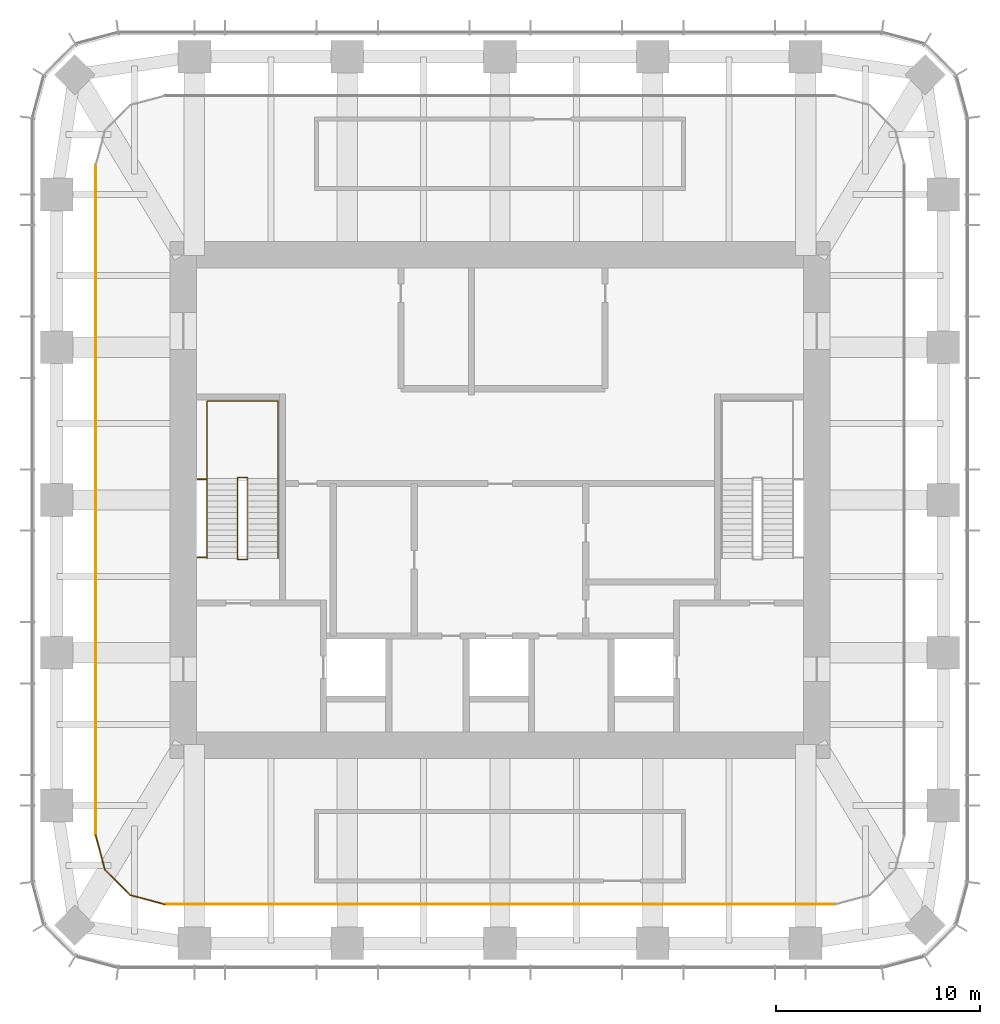
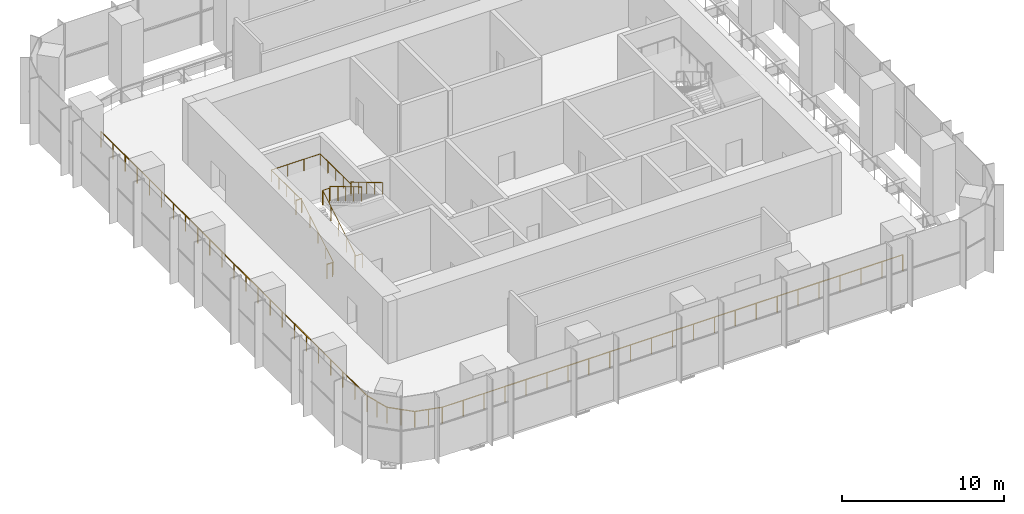
# One storey, part 8 of 10: 7 railings.
"""IFC4 building model written with IfcOpenShell, lengths in metres."""

from ifc_helpers import new_model, si_unit, direction, frame, origin, origin_2d, place, context, subcontext, project, spatial, circle, extrude, material, type_object, element, save


model = new_model("IFC4")

# Units and contexts
model_context = context("Model", 3, precision=1e-05, world=origin(), true_north=direction((0.0, 1.0)))
body_context = subcontext(model_context, "Body", "Model", "MODEL_VIEW")
ifc_project = project(units=[si_unit("LENGTHUNIT", "METRE"), si_unit("AREAUNIT", "SQUARE_METRE"), si_unit("VOLUMEUNIT", "CUBIC_METRE"), si_unit("PLANEANGLEUNIT", "RADIAN"), si_unit("MASSUNIT", "GRAM", prefix="KILO")], contexts=[model_context])

# Site, building, storey
site_placement = place(None, origin())
site = spatial("IfcSite", under=ifc_project, at=site_placement, CompositionType="ELEMENT")
building_placement = place(site_placement, origin())
building = spatial("IfcBuilding", under=site, at=building_placement, Name="Khuree Lantern Residences", CompositionType="ELEMENT")
storey_placement = place(building_placement, frame((0.0, 0.0, 358.25)))
storey = spatial("IfcBuildingStorey", under=building, at=storey_placement, Name="L90", CompositionType="ELEMENT", Elevation=358.25)

# Railings
ifc_material_1 = material(Name="Bronze anodised aluminium balustrade with infill bars", Category="aluminium")
railing_type_1 = type_object("IfcRailingType", Name="GALLERY GUARD G2 1200", PredefinedType="GUARDRAIL", material=ifc_material_1)
railing_1_placement = place(storey_placement, frame((-19.800048828125, 16.39990234375, 0.0)))
element("IfcRailing", 1, at=railing_1_placement, inside=storey, type_object=railing_type_1, Name="L90 WEST FACE GALLERY GUARD", PredefinedType="GUARDRAIL", context=body_context, shape_type="SweptSolid", body=[
    extrude(circle(Radius=0.02392578125, at=origin_2d()), frame((0.0, 0.0, 1.17626953125), z_axis=(0.0, -1.0, 0.0), x_axis=(1.0, 0.0, 0.0)), (0.0, 0.0, 1.0), 32.7998046875),
    extrude(circle(Radius=0.02099609375, at=origin_2d()), origin(), (0.0, 0.0, 1.0), 1.152099609375),
    extrude(circle(Radius=0.02099609375, at=origin_2d()), frame((0.0, -1.490966796875, 0.0)), (0.0, 0.0, 1.0), 1.152099609375),
    extrude(circle(Radius=0.02099609375, at=origin_2d()), frame((0.0, -2.981689453125, 0.0)), (0.0, 0.0, 1.0), 1.152099609375),
    extrude(circle(Radius=0.02099609375, at=origin_2d()), frame((0.0, -4.47265625, 0.0)), (0.0, 0.0, 1.0), 1.152099609375),
    extrude(circle(Radius=0.02099609375, at=origin_2d()), frame((0.0, -5.963623046875, 0.0)), (0.0, 0.0, 1.0), 1.152099609375),
    extrude(circle(Radius=0.02099609375, at=origin_2d()), frame((0.0, -7.45458984375, 0.0)), (0.0, 0.0, 1.0), 1.152099609375),
    extrude(circle(Radius=0.02099609375, at=origin_2d()), frame((0.0, -8.9453125, 0.0)), (0.0, 0.0, 1.0), 1.152099609375),
    extrude(circle(Radius=0.02099609375, at=origin_2d()), frame((0.0, -10.436279296875, 0.0)), (0.0, 0.0, 1.0), 1.152099609375),
    extrude(circle(Radius=0.02099609375, at=origin_2d()), frame((0.0, -11.92724609375, 0.0)), (0.0, 0.0, 1.0), 1.152099609375),
    extrude(circle(Radius=0.02099609375, at=origin_2d()), frame((0.0, -13.418212890625, 0.0)), (0.0, 0.0, 1.0), 1.152099609375),
    extrude(circle(Radius=0.02099609375, at=origin_2d()), frame((0.0, -14.908935546875, 0.0)), (0.0, 0.0, 1.0), 1.152099609375),
    extrude(circle(Radius=0.02099609375, at=origin_2d()), frame((0.0, -16.39990234375, 0.0)), (0.0, 0.0, 1.0), 1.152099609375),
    extrude(circle(Radius=0.02099609375, at=origin_2d()), frame((0.0, -17.890869140625, 0.0)), (0.0, 0.0, 1.0), 1.152099609375),
    extrude(circle(Radius=0.02099609375, at=origin_2d()), frame((0.0, -19.381591796875, 0.0)), (0.0, 0.0, 1.0), 1.152099609375),
    extrude(circle(Radius=0.02099609375, at=origin_2d()), frame((0.0, -20.87255859375, 0.0)), (0.0, 0.0, 1.0), 1.152099609375),
    extrude(circle(Radius=0.02099609375, at=origin_2d()), frame((0.0, -22.363525390625, 0.0)), (0.0, 0.0, 1.0), 1.152099609375),
    extrude(circle(Radius=0.02099609375, at=origin_2d()), frame((0.0, -23.8544921875, 0.0)), (0.0, 0.0, 1.0), 1.152099609375),
    extrude(circle(Radius=0.02099609375, at=origin_2d()), frame((0.0, -25.34521484375, 0.0)), (0.0, 0.0, 1.0), 1.152099609375),
    extrude(circle(Radius=0.02099609375, at=origin_2d()), frame((0.0, -26.836181640625, 0.0)), (0.0, 0.0, 1.0), 1.152099609375),
    extrude(circle(Radius=0.02099609375, at=origin_2d()), frame((0.0, -28.3271484375, 0.0)), (0.0, 0.0, 1.0), 1.152099609375),
    extrude(circle(Radius=0.02099609375, at=origin_2d()), frame((0.0, -29.818115234375, 0.0)), (0.0, 0.0, 1.0), 1.152099609375),
    extrude(circle(Radius=0.02099609375, at=origin_2d()), frame((0.0, -31.308837890625, 0.0)), (0.0, 0.0, 1.0), 1.152099609375),
    extrude(circle(Radius=0.02099609375, at=origin_2d()), frame((0.0, -32.7998046875, 0.0)), (0.0, 0.0, 1.0), 1.152099609375),
])
railing_2_placement = place(storey_placement, frame((-19.800048828125, -16.39990234375, 0.0)))
element("IfcRailing", 2, at=railing_2_placement, inside=storey, type_object=railing_type_1, Name="L90 SOUTH-WEST CORNER GALLERY GUARD", PredefinedType="GUARDRAIL", context=body_context, shape_type="SweptSolid", body=[
    extrude(circle(Radius=0.02392578125, at=origin_2d()), frame((0.0, 0.0, 1.17626953125), z_axis=(0.258819281137, -0.965925763044, 0.0), x_axis=(0.965925763044, 0.258819281137, 0.0)), (0.0, 0.0, 1.0), 1.76025390625),
    extrude(circle(Radius=0.02392578125, at=origin_2d()), frame((0.45556640625, -1.7001953125, 1.17626953125), z_axis=(0.707106781187, -0.707106781187, 0.0), x_axis=(0.707106781187, 0.707106781187, 0.0)), (0.0, 0.0, 1.0), 1.759765625),
    extrude(circle(Radius=0.02392578125, at=origin_2d()), frame((1.699951171875, -2.944580078125, 1.17626953125), z_axis=(0.965925763044, -0.258819281137, 0.0), x_axis=(0.258819281137, 0.965925763044, 0.0)), (0.0, 0.0, 1.0), 1.76025390625),
    extrude(circle(Radius=0.02099609375, at=origin_2d()), origin(), (0.0, 0.0, 1.0), 1.152099609375),
    extrude(circle(Radius=0.02099609375, at=origin_2d()), frame((0.227783203125, -0.85009765625, 0.0)), (0.0, 0.0, 1.0), 1.152099609375),
    extrude(circle(Radius=0.02099609375, at=origin_2d()), frame((0.45556640625, -1.7001953125, 0.0)), (0.0, 0.0, 1.0), 1.152099609375),
    extrude(circle(Radius=0.02099609375, at=origin_2d()), frame((1.07763671875, -2.322265625, 0.0)), (0.0, 0.0, 1.0), 1.152099609375),
    extrude(circle(Radius=0.02099609375, at=origin_2d()), frame((1.699951171875, -2.944580078125, 0.0)), (0.0, 0.0, 1.0), 1.152099609375),
    extrude(circle(Radius=0.02099609375, at=origin_2d()), frame((2.550048828125, -3.17236328125, 0.0)), (0.0, 0.0, 1.0), 1.152099609375),
    extrude(circle(Radius=0.02099609375, at=origin_2d()), frame((3.400146484375, -3.400146484375, 0.0)), (0.0, 0.0, 1.0), 1.152099609375),
])
railing_3_placement = place(storey_placement, frame((-16.39990234375, -19.800048828125, 0.0)))
element("IfcRailing", 3, at=railing_3_placement, inside=storey, type_object=railing_type_1, Name="L90 SOUTH FACE GALLERY GUARD", PredefinedType="GUARDRAIL", context=body_context, shape_type="SweptSolid", body=[
    extrude(circle(Radius=0.02392578125, at=origin_2d()), frame((0.0, 0.0, 1.17626953125), z_axis=(1.0, 0.0, 0.0), x_axis=(0.0, 1.0, 0.0)), (0.0, 0.0, 1.0), 32.7998046875),
    extrude(circle(Radius=0.02099609375, at=origin_2d()), origin(), (0.0, 0.0, 1.0), 1.152099609375),
    extrude(circle(Radius=0.02099609375, at=origin_2d()), frame((1.490966796875, 0.0, 0.0)), (0.0, 0.0, 1.0), 1.152099609375),
    extrude(circle(Radius=0.02099609375, at=origin_2d()), frame((2.981689453125, 0.0, 0.0)), (0.0, 0.0, 1.0), 1.152099609375),
    extrude(circle(Radius=0.02099609375, at=origin_2d()), frame((4.47265625, 0.0, 0.0)), (0.0, 0.0, 1.0), 1.152099609375),
    extrude(circle(Radius=0.02099609375, at=origin_2d()), frame((5.963623046875, 0.0, 0.0)), (0.0, 0.0, 1.0), 1.152099609375),
    extrude(circle(Radius=0.02099609375, at=origin_2d()), frame((7.45458984375, 0.0, 0.0)), (0.0, 0.0, 1.0), 1.152099609375),
    extrude(circle(Radius=0.02099609375, at=origin_2d()), frame((8.9453125, 0.0, 0.0)), (0.0, 0.0, 1.0), 1.152099609375),
    extrude(circle(Radius=0.02099609375, at=origin_2d()), frame((10.436279296875, 0.0, 0.0)), (0.0, 0.0, 1.0), 1.152099609375),
    extrude(circle(Radius=0.02099609375, at=origin_2d()), frame((11.92724609375, 0.0, 0.0)), (0.0, 0.0, 1.0), 1.152099609375),
    extrude(circle(Radius=0.02099609375, at=origin_2d()), frame((13.418212890625, 0.0, 0.0)), (0.0, 0.0, 1.0), 1.152099609375),
    extrude(circle(Radius=0.02099609375, at=origin_2d()), frame((14.908935546875, 0.0, 0.0)), (0.0, 0.0, 1.0), 1.152099609375),
    extrude(circle(Radius=0.02099609375, at=origin_2d()), frame((16.39990234375, 0.0, 0.0)), (0.0, 0.0, 1.0), 1.152099609375),
    extrude(circle(Radius=0.02099609375, at=origin_2d()), frame((17.890869140625, 0.0, 0.0)), (0.0, 0.0, 1.0), 1.152099609375),
    extrude(circle(Radius=0.02099609375, at=origin_2d()), frame((19.381591796875, 0.0, 0.0)), (0.0, 0.0, 1.0), 1.152099609375),
    extrude(circle(Radius=0.02099609375, at=origin_2d()), frame((20.87255859375, 0.0, 0.0)), (0.0, 0.0, 1.0), 1.152099609375),
    extrude(circle(Radius=0.02099609375, at=origin_2d()), frame((22.363525390625, 0.0, 0.0)), (0.0, 0.0, 1.0), 1.152099609375),
    extrude(circle(Radius=0.02099609375, at=origin_2d()), frame((23.8544921875, 0.0, 0.0)), (0.0, 0.0, 1.0), 1.152099609375),
    extrude(circle(Radius=0.02099609375, at=origin_2d()), frame((25.34521484375, 0.0, 0.0)), (0.0, 0.0, 1.0), 1.152099609375),
    extrude(circle(Radius=0.02099609375, at=origin_2d()), frame((26.836181640625, 0.0, 0.0)), (0.0, 0.0, 1.0), 1.152099609375),
    extrude(circle(Radius=0.02099609375, at=origin_2d()), frame((28.3271484375, 0.0, 0.0)), (0.0, 0.0, 1.0), 1.152099609375),
    extrude(circle(Radius=0.02099609375, at=origin_2d()), frame((29.818115234375, 0.0, 0.0)), (0.0, 0.0, 1.0), 1.152099609375),
    extrude(circle(Radius=0.02099609375, at=origin_2d()), frame((31.308837890625, 0.0, 0.0)), (0.0, 0.0, 1.0), 1.152099609375),
    extrude(circle(Radius=0.02099609375, at=origin_2d()), frame((32.7998046875, 0.0, 0.0)), (0.0, 0.0, 1.0), 1.152099609375),
])
ifc_material_2 = material(Name="Steel S355", Category="steel")
railing_type_2 = type_object("IfcRailingType", Name="STAIR GUARD G1 1100", PredefinedType="GUARDRAIL", material=ifc_material_2)
railing_4_placement = place(storey_placement, frame((-12.35009765625, -2.909912109375, 0.0)))
element("IfcRailing", 4, at=railing_4_placement, inside=storey, type_object=railing_type_2, Name="Stair ST1 guard", PredefinedType="GUARDRAIL", context=body_context, shape_type="SweptSolid", body=[
    extrude(circle(Radius=0.02392578125, at=origin_2d()), frame((0.0, 0.0, 1.076171875), z_axis=(-1.0, 0.0, 0.0), x_axis=(0.0, -1.0, 0.0)), (0.0, 0.0, 1.0), 0.5),
    extrude(circle(Radius=0.02392578125, at=origin_2d()), frame((-0.5, 0.0, 1.076171875), z_axis=(0.0, 0.286189326841, 0.958173089375), x_axis=(-1.0, 0.0, 0.0)), (0.0, 0.0, 1.0), 0.174072265625),
    extrude(circle(Radius=0.02392578125, at=origin_2d()), frame((-0.5, 0.0498046875, 1.24267578125), z_axis=(0.0, 0.859310244771, 0.511454693235), x_axis=(-1.0, 0.0, 0.0)), (0.0, 0.0, 1.0), 4.56201171875),
    extrude(circle(Radius=0.02392578125, at=origin_2d()), frame((-0.5, 3.969970703125, 3.576171875), z_axis=(0.0, 1.0, 0.0), x_axis=(-1.0, 0.0, 0.0)), (0.0, 0.0, 1.0), 0.050048828125),
    extrude(circle(Radius=0.02392578125, at=origin_2d()), frame((-0.5, 4.02001953125, 3.576171875), z_axis=(1.0, 0.0, 0.0), x_axis=(0.0, 1.0, 0.0)), (0.0, 0.0, 1.0), 0.5),
    extrude(circle(Radius=0.02392578125, at=origin_2d()), frame((0.0, 4.02001953125, 3.576171875), z_axis=(0.0, -0.287476536604, 0.957787680492), x_axis=(1.0, 0.0, 0.0)), (0.0, 0.0, 1.0), 0.174072265625),
    extrude(circle(Radius=0.02392578125, at=origin_2d()), frame((0.0, 3.969970703125, 3.74267578125), z_axis=(0.0, -0.859310244771, 0.511454693235), x_axis=(1.0, 0.0, 0.0)), (0.0, 0.0, 1.0), 4.56201171875),
    extrude(circle(Radius=0.02099609375, at=origin_2d()), origin(), (0.0, 0.0, 1.0), 1.052001953125),
    extrude(circle(Radius=0.02099609375, at=origin_2d()), frame((-0.5, 0.0, 0.0)), (0.0, 0.0, 1.0), 1.052001953125),
    extrude(circle(Radius=0.02099609375, at=origin_2d()), frame((-0.5, 0.0498046875, 0.166748046875)), (0.0, 0.0, 1.0), 1.052001953125),
    extrude(circle(Radius=0.02099609375, at=origin_2d()), frame((-0.5, 1.02978515625, 0.75)), (0.0, 0.0, 1.0), 1.052001953125),
    extrude(circle(Radius=0.02099609375, at=origin_2d()), frame((-0.5, 2.009765625, 1.33349609375)), (0.0, 0.0, 1.0), 1.052001953125),
    extrude(circle(Radius=0.02099609375, at=origin_2d()), frame((-0.5, 2.989990234375, 1.916748046875)), (0.0, 0.0, 1.0), 1.052001953125),
    extrude(circle(Radius=0.02099609375, at=origin_2d()), frame((-0.5, 3.969970703125, 2.5)), (0.0, 0.0, 1.0), 1.052001953125),
    extrude(circle(Radius=0.02099609375, at=origin_2d()), frame((-0.5, 4.02001953125, 2.5)), (0.0, 0.0, 1.0), 1.052001953125),
    extrude(circle(Radius=0.02099609375, at=origin_2d()), frame((0.0, 4.02001953125, 2.5)), (0.0, 0.0, 1.0), 1.052001953125),
    extrude(circle(Radius=0.02099609375, at=origin_2d()), frame((0.0, 3.969970703125, 2.666748046875)), (0.0, 0.0, 1.0), 1.052001953125),
    extrude(circle(Radius=0.02099609375, at=origin_2d()), frame((0.0, 2.989990234375, 3.25)), (0.0, 0.0, 1.0), 1.052001953125),
    extrude(circle(Radius=0.02099609375, at=origin_2d()), frame((0.0, 2.009765625, 3.83349609375)), (0.0, 0.0, 1.0), 1.052001953125),
    extrude(circle(Radius=0.02099609375, at=origin_2d()), frame((0.0, 1.02978515625, 4.416748046875)), (0.0, 0.0, 1.0), 1.052001953125),
    extrude(circle(Radius=0.02099609375, at=origin_2d()), frame((0.0, 0.0498046875, 5.0)), (0.0, 0.0, 1.0), 1.052001953125),
])
for number, where, name in (
    (5, (-14.800048828125, -2.81005859375, 0.0), "Stair ST1 landing slot guard"),
    (6, (-14.800048828125, 1.010009765625, 2.5), "Stair ST1 landing slot guard"),
):
    element("IfcRailing", number, at=place(storey_placement, frame(where)), inside=storey, type_object=railing_type_2, Name=name, PredefinedType="GUARDRAIL", context=body_context, shape_type="SweptSolid", body=[
        extrude(circle(Radius=0.02392578125, at=origin_2d()), frame((0.0, 0.0, 1.076171875), z_axis=(1.0, 0.0, 0.0), x_axis=(0.0, 1.0, 0.0)), (0.0, 0.0, 1.0), 0.400146484375),
        extrude(circle(Radius=0.02099609375, at=origin_2d()), origin(), (0.0, 0.0, 1.0), 1.052001953125),
        extrude(circle(Radius=0.02099609375, at=origin_2d()), frame((0.400146484375, 0.0, 0.0)), (0.0, 0.0, 1.0), 1.052001953125),
    ])
railing_type_3 = type_object("IfcRailingType", Name="STAIR HANDRAIL H1 900", PredefinedType="HANDRAIL", material=ifc_material_2)
railing_5_placement = place(storey_placement, frame((-14.340087890625, -2.860107421875, 0.166748046875)))
element("IfcRailing", 7, at=railing_5_placement, inside=storey, type_object=railing_type_3, Name="Stair ST1 handrail", PredefinedType="HANDRAIL", context=body_context, shape_type="SweptSolid", body=[
    extrude(circle(Radius=0.02392578125, at=origin_2d()), frame((0.0, 0.0, 0.8759765625), z_axis=(0.0, 0.859310244771, 0.511454693235), x_axis=(-1.0, 0.0, 0.0)), (0.0, 0.0, 1.0), 4.56201171875),
    extrude(circle(Radius=0.02392578125, at=origin_2d()), frame((0.0, 3.920166015625, 3.208984375), z_axis=(0.0, 1.0, 0.0), x_axis=(-1.0, 0.0, 0.0)), (0.0, 0.0, 1.0), 3.780029296875),
    extrude(circle(Radius=0.02392578125, at=origin_2d()), frame((0.0, 7.7001953125, 3.208984375), z_axis=(1.0, 0.0, 0.0), x_axis=(0.0, 1.0, 0.0)), (0.0, 0.0, 1.0), 3.47998046875),
    extrude(circle(Radius=0.02392578125, at=origin_2d()), frame((3.47998046875, 7.7001953125, 3.208984375), z_axis=(0.0, -1.0, 0.0), x_axis=(1.0, 0.0, 0.0)), (0.0, 0.0, 1.0), 3.780029296875),
    extrude(circle(Radius=0.02392578125, at=origin_2d()), frame((3.47998046875, 3.920166015625, 3.208984375), z_axis=(0.0, 0.0, 1.0), x_axis=(1.0, 0.0, 0.0)), (0.0, 0.0, 1.0), 0.166748046875),
    extrude(circle(Radius=0.02392578125, at=origin_2d()), frame((3.47998046875, 3.920166015625, 3.3759765625), z_axis=(0.0, -0.859310244771, 0.511454693235), x_axis=(1.0, 0.0, 0.0)), (0.0, 0.0, 1.0), 4.56201171875),
    extrude(circle(Radius=0.02099609375, at=origin_2d()), origin(), (0.0, 0.0, 1.0), 0.851806640625),
    extrude(circle(Radius=0.02099609375, at=origin_2d()), frame((0.0, 0.97998046875, 0.583251953125)), (0.0, 0.0, 1.0), 0.851806640625),
    extrude(circle(Radius=0.02099609375, at=origin_2d()), frame((0.0, 1.9599609375, 1.16650390625)), (0.0, 0.0, 1.0), 0.851806640625),
    extrude(circle(Radius=0.02099609375, at=origin_2d()), frame((0.0, 2.940185546875, 1.75)), (0.0, 0.0, 1.0), 0.851806640625),
    extrude(circle(Radius=0.02099609375, at=origin_2d()), frame((0.0, 3.920166015625, 2.333251953125)), (0.0, 0.0, 1.0), 0.851806640625),
    extrude(circle(Radius=0.02099609375, at=origin_2d()), frame((0.0, 4.865234375, 2.333251953125)), (0.0, 0.0, 1.0), 0.851806640625),
    extrude(circle(Radius=0.02099609375, at=origin_2d()), frame((0.0, 5.81005859375, 2.333251953125)), (0.0, 0.0, 1.0), 0.851806640625),
    extrude(circle(Radius=0.02099609375, at=origin_2d()), frame((0.0, 6.755126953125, 2.333251953125)), (0.0, 0.0, 1.0), 0.851806640625),
    extrude(circle(Radius=0.02099609375, at=origin_2d()), frame((0.0, 7.7001953125, 2.333251953125)), (0.0, 0.0, 1.0), 0.851806640625),
    extrude(circle(Radius=0.02099609375, at=origin_2d()), frame((1.159912109375, 7.7001953125, 2.333251953125)), (0.0, 0.0, 1.0), 0.851806640625),
    extrude(circle(Radius=0.02099609375, at=origin_2d()), frame((2.320068359375, 7.7001953125, 2.333251953125)), (0.0, 0.0, 1.0), 0.851806640625),
    extrude(circle(Radius=0.02099609375, at=origin_2d()), frame((3.47998046875, 7.7001953125, 2.333251953125)), (0.0, 0.0, 1.0), 0.851806640625),
    extrude(circle(Radius=0.02099609375, at=origin_2d()), frame((3.47998046875, 6.755126953125, 2.333251953125)), (0.0, 0.0, 1.0), 0.851806640625),
    extrude(circle(Radius=0.02099609375, at=origin_2d()), frame((3.47998046875, 5.81005859375, 2.333251953125)), (0.0, 0.0, 1.0), 0.851806640625),
    extrude(circle(Radius=0.02099609375, at=origin_2d()), frame((3.47998046875, 4.865234375, 2.333251953125)), (0.0, 0.0, 1.0), 0.851806640625),
    extrude(circle(Radius=0.02099609375, at=origin_2d()), frame((3.47998046875, 3.920166015625, 2.333251953125)), (0.0, 0.0, 1.0), 0.851806640625),
    extrude(circle(Radius=0.02099609375, at=origin_2d()), frame((3.47998046875, 3.920166015625, 2.5)), (0.0, 0.0, 1.0), 0.851806640625),
    extrude(circle(Radius=0.02099609375, at=origin_2d()), frame((3.47998046875, 2.940185546875, 3.083251953125)), (0.0, 0.0, 1.0), 0.851806640625),
    extrude(circle(Radius=0.02099609375, at=origin_2d()), frame((3.47998046875, 1.9599609375, 3.66650390625)), (0.0, 0.0, 1.0), 0.851806640625),
    extrude(circle(Radius=0.02099609375, at=origin_2d()), frame((3.47998046875, 0.97998046875, 4.25)), (0.0, 0.0, 1.0), 0.851806640625),
    extrude(circle(Radius=0.02099609375, at=origin_2d()), frame((3.47998046875, 0.0, 4.833251953125)), (0.0, 0.0, 1.0), 0.851806640625),
])

save(model, "model.ifc")
